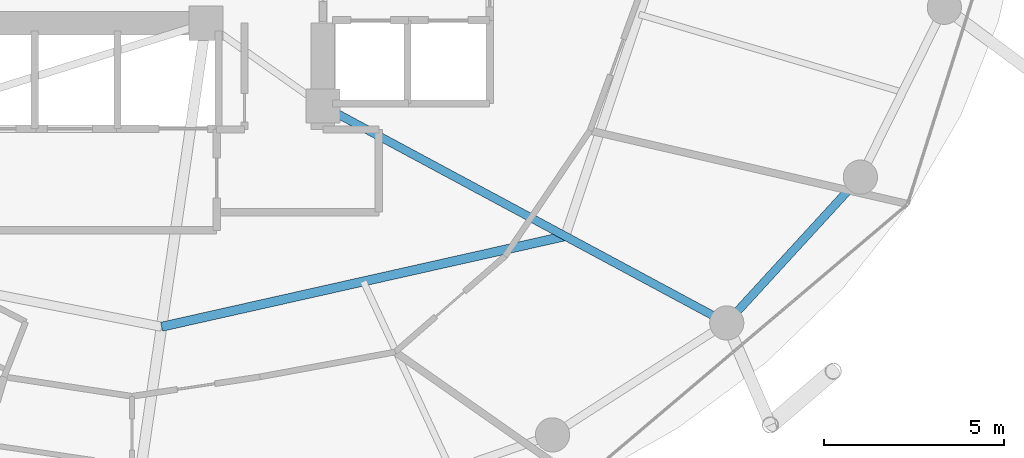
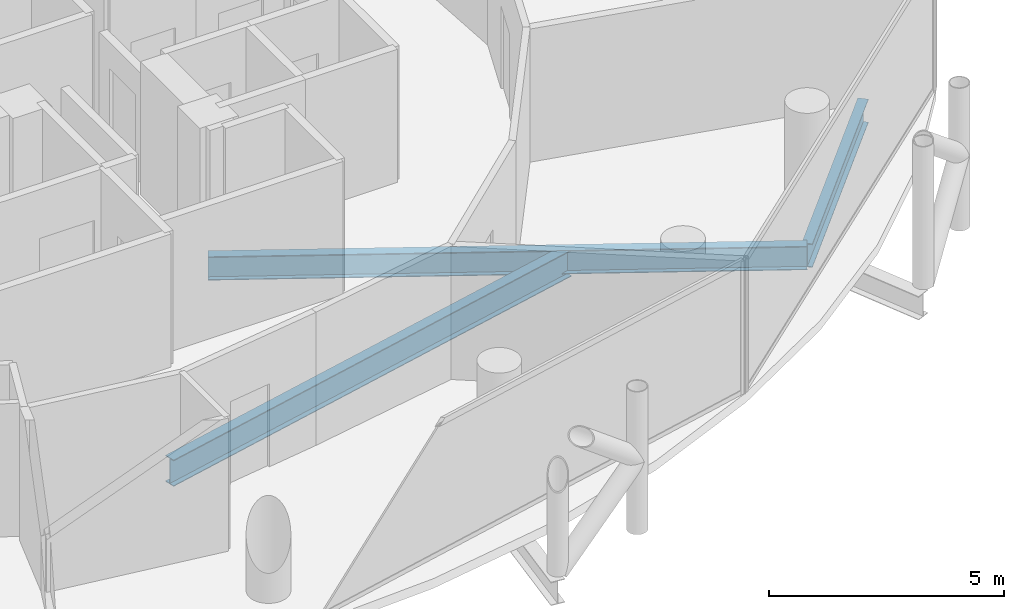
# One storey, part 9 of 27: 3 beams.
"""IFC4 building model written with IfcOpenShell, lengths in metres."""

from ifc_helpers import new_model, si_unit, direction, frame, origin, origin_2d, place, context, subcontext, project, spatial, i_section, extrude, material, material_profile, profile_set, type_object, element, save


model = new_model("IFC4")

# Units and contexts
model_context = context("Model", 3, precision=1e-05, world=origin(), true_north=direction((0.0, 1.0)))
body_context = subcontext(model_context, "Body", "Model", "MODEL_VIEW")
ifc_project = project(units=[si_unit("LENGTHUNIT", "METRE"), si_unit("AREAUNIT", "SQUARE_METRE"), si_unit("VOLUMEUNIT", "CUBIC_METRE"), si_unit("PLANEANGLEUNIT", "RADIAN"), si_unit("MASSUNIT", "GRAM", prefix="KILO")], contexts=[model_context])

# Site, building, storey
site_placement = place(None, origin())
site = spatial("IfcSite", under=ifc_project, at=site_placement, CompositionType="ELEMENT")
building_placement = place(site_placement, origin())
building = spatial("IfcBuilding", under=site, at=building_placement, Name="Nuhasar Tower", CompositionType="ELEMENT")
storey_placement = place(building_placement, frame((0.0, 0.0, 158.949951171875)))
storey = spatial("IfcBuildingStorey", under=building, at=storey_placement, Name="L38", CompositionType="ELEMENT", Elevation=158.949951171875)

# Beams
ifc_material = material(Name="Steel S355", Category="steel")
ifc_material_profile_1 = material_profile(ifc_material, i_section(OverallWidth=0.25390625, OverallDepth=0.68408203125, WebThickness=0.012451171875, FlangeThickness=0.018798828125, at=origin_2d()), Name="W27X94")
ifc_profile_set_1 = profile_set([ifc_material_profile_1], Name="Steel S355")
beam_type_1 = type_object("IfcBeamType", Name="BM-INRING-W27X94", PredefinedType="BEAM", material=ifc_profile_set_1)
beam_1_placement = place(storey_placement, frame((39.820068359375, 12.8701171875, -0.592041015625), z_axis=(0.975716159385, 0.219038755282, 0.0), x_axis=(-0.219038755282, 0.975716159385, 0.0)))
element("IfcBeam", 1, at=beam_1_placement, inside=storey, type_object=beam_type_1, Name="L38 Inner Header Beam 02", PredefinedType="BEAM", context=body_context, shape_type="SweptSolid", body=[
    extrude(i_section(OverallWidth=0.25390625, OverallDepth=0.68408203125, WebThickness=0.012451171875, FlangeThickness=0.018798828125, at=origin_2d()), origin(), (0.0, 0.0, 1.0), 11.48583984375),
])
ifc_material_profile_2 = material_profile(ifc_material, i_section(OverallWidth=0.22900390625, OverallDepth=0.612060546875, WebThickness=0.011962890625, FlangeThickness=0.01953125, at=origin_2d()), Name="W24X84")
ifc_profile_set_2 = profile_set([ifc_material_profile_2], Name="Steel S355")
beam_type_2 = type_object("IfcBeamType", Name="BM-RAD-W24X84", PredefinedType="BEAM", material=ifc_profile_set_2)
beam_2_placement = place(storey_placement, frame((44.300048828125, 19.0, -0.555908203125), z_axis=(0.880888386928, -0.473324043098, 0.0), x_axis=(0.473324043098, 0.880888386928, 0.0)))
element("IfcBeam", 2, at=beam_2_placement, inside=storey, type_object=beam_type_2, Name="L38 Radial Floor Girder 03", PredefinedType="BEAM", context=body_context, shape_type="SweptSolid", body=[
    extrude(i_section(OverallWidth=0.22900390625, OverallDepth=0.612060546875, WebThickness=0.011962890625, FlangeThickness=0.01953125, at=origin_2d()), origin(), (0.0, 0.0, 1.0), 12.726806640625),
])
ifc_material_profile_3 = material_profile(ifc_material, i_section(OverallWidth=0.22998046875, OverallDepth=0.616943359375, WebThickness=0.01318359375, FlangeThickness=0.022216796875, at=origin_2d()), Name="W24X94")
ifc_profile_set_3 = profile_set([ifc_material_profile_3], Name="Steel S355")
beam_type_3 = type_object("IfcBeamType", Name="BM-RING-W24X94", PredefinedType="SPANDREL", material=ifc_profile_set_3)
beam_3_placement = place(storey_placement, frame((55.510986328125, 12.97607421875, -0.558837890625), z_axis=(0.675676316545, 0.737198423262, 0.0), x_axis=(-0.737198423262, 0.675676316545, 0.0)))
element("IfcBeam", 3, at=beam_3_placement, inside=storey, type_object=beam_type_3, Name="L38 Perimeter Ring Spandrel 22", PredefinedType="SPANDREL", context=body_context, shape_type="SweptSolid", body=[
    extrude(i_section(OverallWidth=0.22998046875, OverallDepth=0.616943359375, WebThickness=0.01318359375, FlangeThickness=0.022216796875, at=origin_2d()), origin(), (0.0, 0.0, 1.0), 5.4921875),
])

save(model, "model.ifc")
